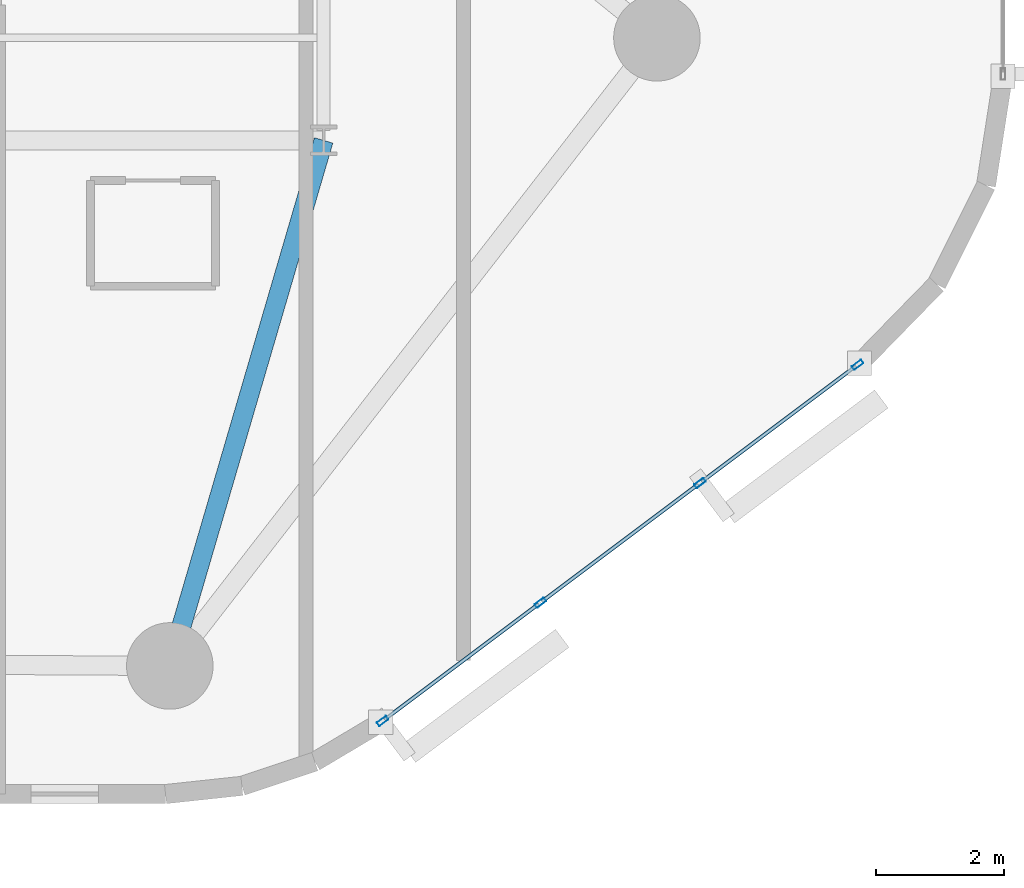
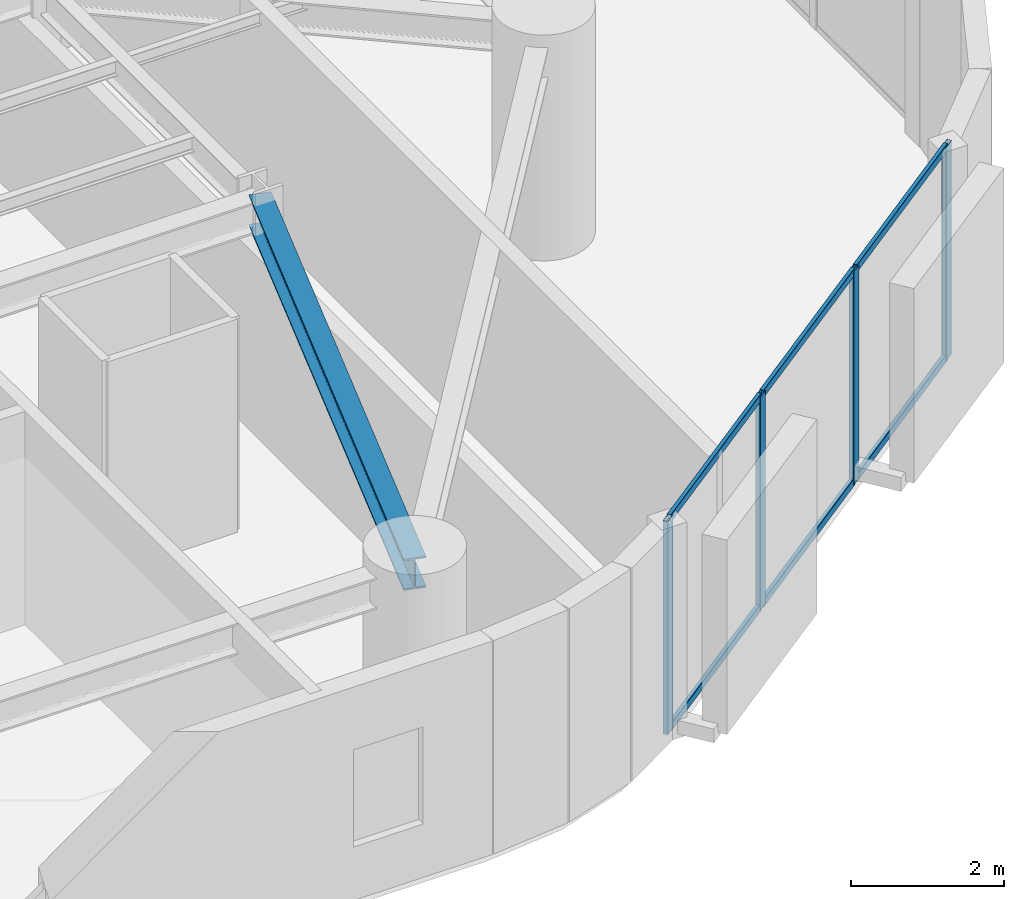
# One storey, part 2 of 16: 10 members, 1 beam, 1 element without a shape of its own.
"""IFC4 building model written with IfcOpenShell, lengths in metres."""

from ifc_helpers import new_model, si_unit, direction, frame, origin, origin_2d, place, context, subcontext, project, spatial, hollow_rectangle, i_section, extrude, material, layer, layer_set, material_profile, profile_set, type_object, element, aggregate, save


model = new_model("IFC4")

# Units and contexts
model_context = context("Model", 3, precision=1e-05, world=origin(), true_north=direction((0.0, 1.0)))
body_context = subcontext(model_context, "Body", "Model", "MODEL_VIEW")
ifc_project = project(units=[si_unit("LENGTHUNIT", "METRE"), si_unit("AREAUNIT", "SQUARE_METRE"), si_unit("VOLUMEUNIT", "CUBIC_METRE"), si_unit("PLANEANGLEUNIT", "RADIAN"), si_unit("MASSUNIT", "GRAM", prefix="KILO")], contexts=[model_context])

# Site, building, storey
site_placement = place(None, origin())
site = spatial("IfcSite", under=ifc_project, at=site_placement, CompositionType="ELEMENT")
building_placement = place(site_placement, origin())
building = spatial("IfcBuilding", under=site, at=building_placement, Name="An Khanh Terracotta Commons", CompositionType="ELEMENT")
storey_placement = place(building_placement, frame((0.0, 0.0, 97.10009765625)))
storey = spatial("IfcBuildingStorey", under=building, at=storey_placement, Name="L25", CompositionType="ELEMENT", Elevation=97.10009765625)

# Beam
ifc_material_1 = material(Name="Steel S355J2", Category="steel")
ifc_material_profile_1 = material_profile(ifc_material_1, i_section(OverallWidth=0.300048828125, OverallDepth=0.5, WebThickness=0.014404296875, FlangeThickness=0.028076171875, FilletRadius=0.027099609375, at=origin_2d()), Name="HEB500")
ifc_profile_set_1 = profile_set([ifc_material_profile_1], Name="Steel S355J2")
beam_type = type_object("IfcBeamType", Name="BM-HEB500", PredefinedType="BEAM", material=ifc_profile_set_1)
beam_placement = place(storey_placement, frame((44.39990234375, 6.199951171875, 3.14990234375), z_axis=(0.280916085823, 0.959732333896, 0.0), x_axis=(-0.959732333896, 0.280916085823, 0.0)))
element("IfcBeam", 1, at=beam_placement, inside=storey, type_object=beam_type, Name="L25 Mega-Column Tie Girder 2", PredefinedType="BEAM", context=body_context, shape_type="SweptSolid", body=[
    extrude(i_section(OverallWidth=0.300048828125, OverallDepth=0.5, WebThickness=0.014404296875, FlangeThickness=0.028076171875, FilletRadius=0.027099609375, at=origin_2d()), origin(), (0.0, 0.0, 1.0), 8.5439453125),
])

# Curtain wall, members
ifc_material_2 = material(Name="Anodised Aluminium 6063-T6", Category="aluminium")
ifc_layer = layer(ifc_material_2, 0.199951171875, Name="Anodised Aluminium 6063-T6")
ifc_layer_set = layer_set([ifc_layer], Name="Anodised Aluminium 6063-T6")
curtain_wall_type = type_object("IfcCurtainWallType", Name="CW-SYS-02", PredefinedType="USERDEFINED", material=ifc_layer_set)
curtain_wall_placement = place(storey_placement, origin())
curtain_wall = element("IfcCurtainWall", 2, at=curtain_wall_placement, inside=storey, type_object=curtain_wall_type, Name="L25 CW-02 Unitised Curtain Wall CW-L25-08", ObjectType="UNITISED CURTAIN WALL", PredefinedType="USERDEFINED")
ifc_material_profile_2 = material_profile(ifc_material_2, hollow_rectangle(XDim=0.070068359375, YDim=0.179931640625, WallThickness=0.00390625, InnerFilletRadius=0.00390625, OuterFilletRadius=0.008056640625, at=origin_2d()), Name="RHS180x70x4")
ifc_profile_set_2 = profile_set([ifc_material_profile_2], Name="Anodised Aluminium 6063-T6")
member_type_1 = type_object("IfcMemberType", Name="CWM-RHS180x70x4", PredefinedType="MULLION", material=ifc_profile_set_2)
member_1_placement = place(storey_placement, frame((47.720947265625, 5.341064453125, 0.0), z_axis=(0.0, 0.0, 1.0), x_axis=(-0.599982857492, 0.800012856594, 0.0)))
member_1 = element("IfcMember", 3, at=member_1_placement, type_object=member_type_1, Name="CW-02 mullion 1", PredefinedType="MULLION", context=body_context, shape_type="SweptSolid", body=[
    extrude(hollow_rectangle(XDim=0.070068359375, YDim=0.179931640625, WallThickness=0.00390625, InnerFilletRadius=0.00390625, OuterFilletRadius=0.008056640625, at=origin_2d()), origin(), (0.0, 0.0, 1.0), 3.39990234375),
])
member_2_placement = place(storey_placement, frame((50.181884765625, 7.186767578125, 0.0), z_axis=(0.0, 0.0, 1.0), x_axis=(-0.599982857492, 0.800012856594, 0.0)))
member_2 = element("IfcMember", 4, at=member_2_placement, type_object=member_type_1, Name="CW-02 mullion 2", PredefinedType="MULLION", context=body_context, shape_type="SweptSolid", body=[
    extrude(hollow_rectangle(XDim=0.070068359375, YDim=0.179931640625, WallThickness=0.00390625, InnerFilletRadius=0.00390625, OuterFilletRadius=0.008056640625, at=origin_2d()), origin(), (0.0, 0.0, 1.0), 3.39990234375),
])
member_3_placement = place(storey_placement, frame((52.6708984375, 9.05322265625, 0.0), z_axis=(0.0, 0.0, 1.0), x_axis=(-0.599982857492, 0.800012856594, 0.0)))
member_3 = element("IfcMember", 5, at=member_3_placement, type_object=member_type_1, Name="CW-02 mullion 3", PredefinedType="MULLION", context=body_context, shape_type="SweptSolid", body=[
    extrude(hollow_rectangle(XDim=0.070068359375, YDim=0.179931640625, WallThickness=0.00390625, InnerFilletRadius=0.00390625, OuterFilletRadius=0.008056640625, at=origin_2d()), origin(), (0.0, 0.0, 1.0), 3.39990234375),
])
member_4_placement = place(storey_placement, frame((55.132080078125, 10.89892578125, 0.0), z_axis=(0.0, 0.0, 1.0), x_axis=(-0.599982857492, 0.800012856594, 0.0)))
member_4 = element("IfcMember", 6, at=member_4_placement, type_object=member_type_1, Name="CW-02 mullion 4", PredefinedType="MULLION", context=body_context, shape_type="SweptSolid", body=[
    extrude(hollow_rectangle(XDim=0.070068359375, YDim=0.179931640625, WallThickness=0.00390625, InnerFilletRadius=0.00390625, OuterFilletRadius=0.008056640625, at=origin_2d()), origin(), (0.0, 0.0, 1.0), 3.39990234375),
])
ifc_material_profile_3 = material_profile(ifc_material_2, hollow_rectangle(XDim=0.06005859375, YDim=0.1201171875, WallThickness=0.003662109375, InnerFilletRadius=0.003662109375, OuterFilletRadius=0.007080078125, at=origin_2d()), Name="RHS120x60x3.6")
ifc_profile_set_3 = profile_set([ifc_material_profile_3], Name="Anodised Aluminium 6063-T6")
member_type_2 = type_object("IfcMemberType", Name="CWT-RHS120x60x3.6", PredefinedType="USERDEFINED", material=ifc_profile_set_3)
member_5_placement = place(storey_placement, frame((47.7490234375, 5.362060546875, 0.02978515625), z_axis=(0.800009745217, 0.599987006158, 0.0), x_axis=(-0.599987006158, 0.800009745217, 0.0)))
member_5 = element("IfcMember", 7, at=member_5_placement, type_object=member_type_2, Name="CW-02 transom 1.1", ObjectType="TRANSOM", PredefinedType="USERDEFINED", context=body_context, shape_type="SweptSolid", body=[
    extrude(hollow_rectangle(XDim=0.06005859375, YDim=0.1201171875, WallThickness=0.003662109375, InnerFilletRadius=0.003662109375, OuterFilletRadius=0.007080078125, at=origin_2d()), origin(), (0.0, 0.0, 1.0), 3.00634765625),
])
member_6_placement = place(storey_placement, frame((47.7490234375, 5.362060546875, 3.369873046875), z_axis=(0.800009745217, 0.599987006158, 0.0), x_axis=(-0.599987006158, 0.800009745217, 0.0)))
member_6 = element("IfcMember", 8, at=member_6_placement, type_object=member_type_2, Name="CW-02 transom 1.2", ObjectType="TRANSOM", PredefinedType="USERDEFINED", context=body_context, shape_type="SweptSolid", body=[
    extrude(hollow_rectangle(XDim=0.06005859375, YDim=0.1201171875, WallThickness=0.003662109375, InnerFilletRadius=0.003662109375, OuterFilletRadius=0.007080078125, at=origin_2d()), origin(), (0.0, 0.0, 1.0), 3.00634765625),
])
member_7_placement = place(storey_placement, frame((50.2099609375, 7.207763671875, 0.02978515625), z_axis=(0.800057796972, 0.599922929638, 0.0), x_axis=(-0.599922929638, 0.800057796972, 0.0)))
member_7 = element("IfcMember", 9, at=member_7_placement, type_object=member_type_2, Name="CW-02 transom 2.1", ObjectType="TRANSOM", PredefinedType="USERDEFINED", context=body_context, shape_type="SweptSolid", body=[
    extrude(hollow_rectangle(XDim=0.06005859375, YDim=0.1201171875, WallThickness=0.003662109375, InnerFilletRadius=0.003662109375, OuterFilletRadius=0.007080078125, at=origin_2d()), origin(), (0.0, 0.0, 1.0), 3.041259765625),
])
member_8_placement = place(storey_placement, frame((50.2099609375, 7.207763671875, 3.369873046875), z_axis=(0.800057796972, 0.599922929638, 0.0), x_axis=(-0.599922929638, 0.800057796972, 0.0)))
member_8 = element("IfcMember", 10, at=member_8_placement, type_object=member_type_2, Name="CW-02 transom 2.2", ObjectType="TRANSOM", PredefinedType="USERDEFINED", context=body_context, shape_type="SweptSolid", body=[
    extrude(hollow_rectangle(XDim=0.06005859375, YDim=0.1201171875, WallThickness=0.003662109375, InnerFilletRadius=0.003662109375, OuterFilletRadius=0.007080078125, at=origin_2d()), origin(), (0.0, 0.0, 1.0), 3.041259765625),
])
member_9_placement = place(storey_placement, frame((52.698974609375, 9.07421875, 0.02978515625), z_axis=(0.800009745217, 0.599987006158, 0.0), x_axis=(-0.599987006158, 0.800009745217, 0.0)))
member_9 = element("IfcMember", 11, at=member_9_placement, type_object=member_type_2, Name="CW-02 transom 3.1", ObjectType="TRANSOM", PredefinedType="USERDEFINED", context=body_context, shape_type="SweptSolid", body=[
    extrude(hollow_rectangle(XDim=0.06005859375, YDim=0.1201171875, WallThickness=0.003662109375, InnerFilletRadius=0.003662109375, OuterFilletRadius=0.007080078125, at=origin_2d()), origin(), (0.0, 0.0, 1.0), 3.00634765625),
])
member_10_placement = place(storey_placement, frame((52.698974609375, 9.07421875, 3.369873046875), z_axis=(0.800009745217, 0.599987006158, 0.0), x_axis=(-0.599987006158, 0.800009745217, 0.0)))
member_10 = element("IfcMember", 12, at=member_10_placement, type_object=member_type_2, Name="CW-02 transom 3.2", ObjectType="TRANSOM", PredefinedType="USERDEFINED", context=body_context, shape_type="SweptSolid", body=[
    extrude(hollow_rectangle(XDim=0.06005859375, YDim=0.1201171875, WallThickness=0.003662109375, InnerFilletRadius=0.003662109375, OuterFilletRadius=0.007080078125, at=origin_2d()), origin(), (0.0, 0.0, 1.0), 3.00634765625),
])
aggregate(curtain_wall, [member_1, member_2, member_3, member_4, member_5, member_6, member_7, member_8, member_9, member_10])

save(model, "model.ifc")
